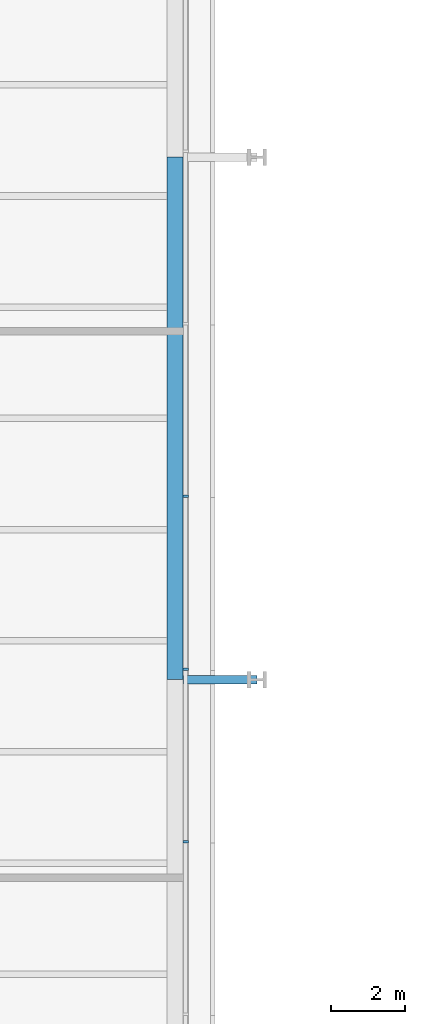
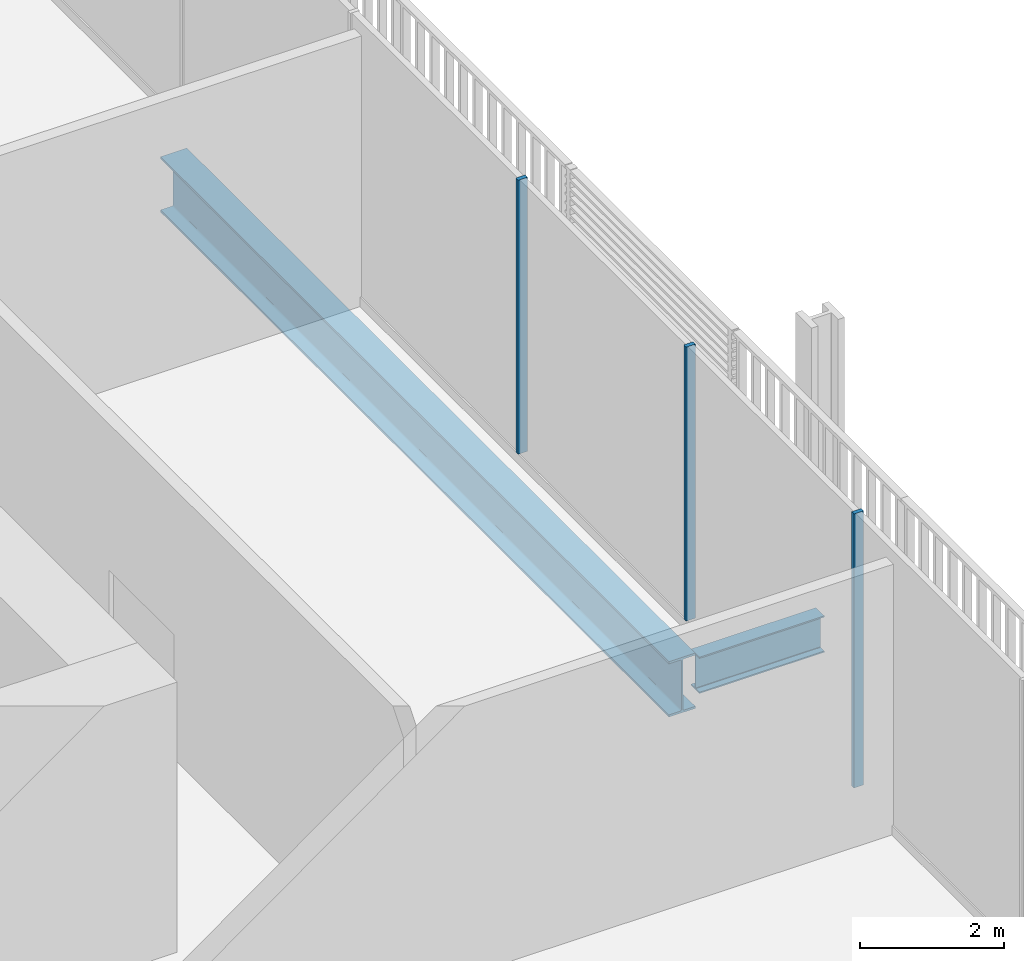
# One storey, part 11 of 25: 3 members, 2 beams, 1 element without a shape of its own.
"""IFC4 building model written with IfcOpenShell, lengths in metres."""

from ifc_helpers import new_model, si_unit, direction, frame, origin, origin_2d, place, context, subcontext, project, spatial, rectangle, i_section, extrude, material, layer, layer_set, material_profile, profile_set, type_object, element, aggregate, save


model = new_model("IFC4")

# Units and contexts
model_context = context("Model", 3, precision=1e-05, world=origin(), true_north=direction((0.0, 1.0)))
body_context = subcontext(model_context, "Body", "Model", "MODEL_VIEW")
ifc_project = project(units=[si_unit("LENGTHUNIT", "METRE"), si_unit("AREAUNIT", "SQUARE_METRE"), si_unit("VOLUMEUNIT", "CUBIC_METRE"), si_unit("PLANEANGLEUNIT", "RADIAN"), si_unit("MASSUNIT", "GRAM", prefix="KILO")], contexts=[model_context])

# Site, building, storey
site_placement = place(None, origin())
site = spatial("IfcSite", under=ifc_project, at=site_placement, CompositionType="ELEMENT")
building_placement = place(site_placement, origin())
building = spatial("IfcBuilding", under=site, at=building_placement, Name="Millrace Tower", CompositionType="ELEMENT")
storey_placement = place(building_placement, frame((0.0, 0.0, 6.5)))
storey = spatial("IfcBuildingStorey", under=building, at=storey_placement, Name="L02", CompositionType="ELEMENT", Elevation=6.5)

# Curtain wall, members
ifc_material_1 = material(Name="Aluminium and glass", Category="aluminium")
ifc_layer = layer(ifc_material_1, 0.14990234375)
ifc_layer_set = layer_set([ifc_layer], Name="Aluminium and glass")
curtain_wall_type = type_object("IfcCurtainWallType", Name="CW-2 data hall insulated curtain wall", PredefinedType="NOTDEFINED", material=ifc_layer_set)
curtain_wall_placement = place(storey_placement, origin())
curtain_wall = element("IfcCurtainWall", 1, at=curtain_wall_placement, inside=storey, type_object=curtain_wall_type, Name="Curtain wall AW2-F02 L02 CW2", PredefinedType="NOTDEFINED")
ifc_material_2 = material(Name="Aluminium", Category="aluminium")
ifc_material_profile_1 = material_profile(ifc_material_2, rectangle(XDim=0.06494140625, YDim=0.14990234375, at=origin_2d()))
ifc_profile_set_1 = profile_set([ifc_material_profile_1], Name="Aluminium")
member_type = type_object("IfcMemberType", Name="CW-2 data hall insulated curtain wall mullion", PredefinedType="MULLION", material=ifc_profile_set_1)
member_1_placement = place(storey_placement, frame((25.074951171875, -11.42138671875, 0.159912109375), z_axis=(0.0, 0.0, 1.0), x_axis=(0.0, 1.0, 0.0)))
member_1 = element("IfcMember", 2, at=member_1_placement, type_object=member_type, Name="CW2 mullion AW2-F02.7", PredefinedType="MULLION", context=body_context, shape_type="SweptSolid", body=[
    extrude(rectangle(XDim=0.06494140625, YDim=0.14990234375, at=origin_2d()), origin(), (0.0, 0.0, 1.0), 4.64013671875),
])
member_2_placement = place(storey_placement, frame((25.074951171875, -6.763671875, 0.159912109375), z_axis=(0.0, 0.0, 1.0), x_axis=(0.0, 1.0, 0.0)))
member_2 = element("IfcMember", 3, at=member_2_placement, type_object=member_type, Name="CW2 mullion AW2-F02.8", PredefinedType="MULLION", context=body_context, shape_type="SweptSolid", body=[
    extrude(rectangle(XDim=0.06494140625, YDim=0.14990234375, at=origin_2d()), origin(), (0.0, 0.0, 1.0), 4.64013671875),
])
member_3_placement = place(storey_placement, frame((25.074951171875, -2.10595703125, 0.159912109375), z_axis=(0.0, 0.0, 1.0), x_axis=(0.0, 1.0, 0.0)))
member_3 = element("IfcMember", 4, at=member_3_placement, type_object=member_type, Name="CW2 mullion AW2-F02.9", PredefinedType="MULLION", context=body_context, shape_type="SweptSolid", body=[
    extrude(rectangle(XDim=0.06494140625, YDim=0.14990234375, at=origin_2d()), origin(), (0.0, 0.0, 1.0), 4.64013671875),
])
aggregate(curtain_wall, [member_1, member_2, member_3])

# Beams
ifc_material_3 = material(Name="Steel ASTM A992 Grade 50", Category="steel")
ifc_material_profile_2 = material_profile(ifc_material_3, i_section(OverallWidth=0.23046875, OverallDepth=0.6171875, WebThickness=0.01318359375, FlangeThickness=0.022216796875, FilletRadius=0.012939453125, at=origin_2d()))
ifc_profile_set_2 = profile_set([ifc_material_profile_2], Name="Steel ASTM A992 Grade 50")
beam_type_1 = type_object("IfcBeamType", Name="Link beam W24x94", PredefinedType="BEAM", material=ifc_profile_set_2)
beam_1_placement = place(storey_placement, frame((25.0, -7.050048828125, -0.53369140625), z_axis=(1.0, 0.0, 0.0), x_axis=(0.0, 1.0, 0.0)))
element("IfcBeam", 5, at=beam_1_placement, inside=storey, type_object=beam_type_1, Name="LNK-A-L02-S1-12", PredefinedType="BEAM", context=body_context, shape_type="SweptSolid", body=[
    extrude(i_section(OverallWidth=0.23046875, OverallDepth=0.6171875, WebThickness=0.01318359375, FlangeThickness=0.022216796875, FilletRadius=0.012939453125, at=origin_2d()), origin(), (0.0, 0.0, 1.0), 2.0),
])
ifc_material_4 = material(Name="Steel ASTM A992 Grade 50", Category="steel")
ifc_material_profile_3 = material_profile(ifc_material_4, i_section(OverallWidth=0.421630859375, OverallDepth=0.937255859375, WebThickness=0.021240234375, FlangeThickness=0.03662109375, FilletRadius=0.024169921875, at=origin_2d()))
ifc_profile_set_3 = profile_set([ifc_material_profile_3], Name="Steel ASTM A992 Grade 50")
beam_type_2 = type_object("IfcBeamType", Name="Ring beam medium span W36x262", PredefinedType="SPANDREL", material=ifc_profile_set_3)
beam_2_placement = place(storey_placement, frame((24.7890625, 7.050048828125, -0.693603515625), z_axis=(0.0, -1.0, 0.0), x_axis=(1.0, 0.0, 0.0)))
element("IfcBeam", 6, at=beam_2_placement, inside=storey, type_object=beam_type_2, Name="RNG-A-L02-S1-11", PredefinedType="SPANDREL", context=body_context, shape_type="SweptSolid", body=[
    extrude(i_section(OverallWidth=0.421630859375, OverallDepth=0.937255859375, WebThickness=0.021240234375, FlangeThickness=0.03662109375, FilletRadius=0.024169921875, at=origin_2d()), origin(), (0.0, 0.0, 1.0), 14.10009765625),
])

save(model, "model.ifc")
